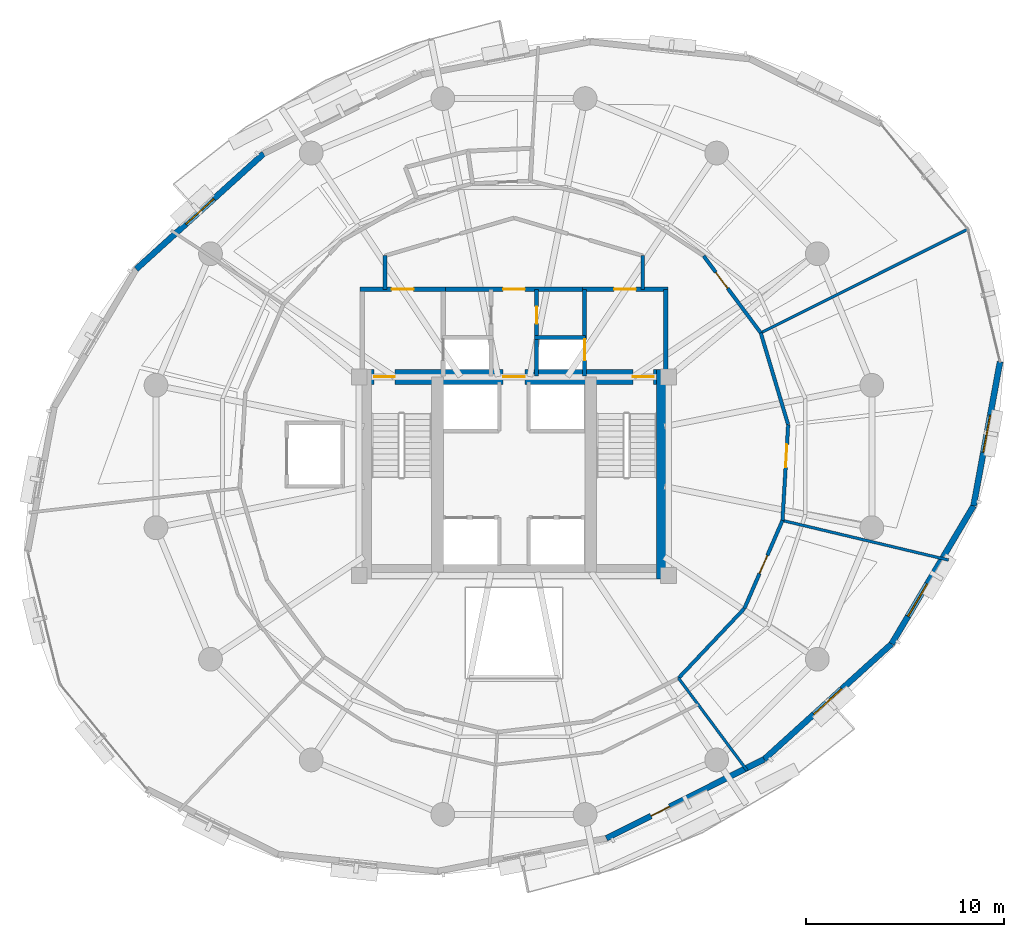
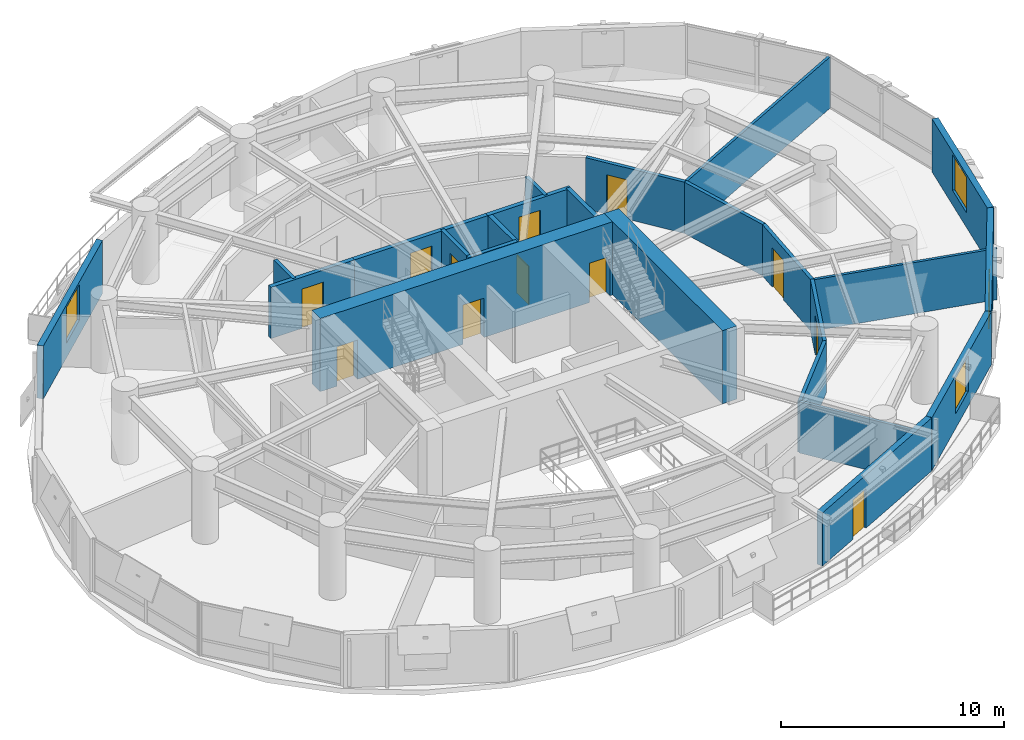
# One storey, part 11 of 14: 24 walls, 12 doors, 4 windows, 16 openings.
"""IFC4 building model written with IfcOpenShell, lengths in metres."""

import ifcopenshell
import ifcopenshell.guid

model = None  # the IFC model being written
_history = None  # IfcOwnerHistory: only IFC2X3 demands one
_inside = {}  # id of a spatial element -> (the spatial element, [elements in it])
_under = {}  # id of a project, library or spatial element -> (it, [spatial elements below it])
_declared = {}  # id of a project -> (the project, [libraries it declares])
_typed = {}  # id of a type object -> (the type object, [elements of that type])
_made_of = {}  # id of a material, layer set ... -> (it, [elements and type objects made of it])


def new_model(schema):
    """Start an empty IFC model of exactly this schema.

    Asked for "IFC4X3", IfcOpenShell would pick the latest addendum, in which some entities
    have other attributes; the version numbers below select the first issue.
    IFC2X3 requires an IfcOwnerHistory on every rooted entity: one is made here for all.
    """
    global model, _history
    if schema == "IFC4X3":
        model = ifcopenshell.file(schema_version=(4, 3, 0, 0))
    else:
        model = ifcopenshell.file(schema=schema)
    _inside.clear()
    _under.clear()
    _declared.clear()
    _typed.clear()
    _made_of.clear()
    _history = None
    if model.schema == "IFC2X3":
        org = make("IfcOrganization", Name="unknown")
        user = make(
            "IfcPersonAndOrganization",
            ThePerson=make("IfcPerson", FamilyName="unknown"),
            TheOrganization=org,
        )
        app = make(
            "IfcApplication",
            ApplicationDeveloper=org,
            Version="unknown",
            ApplicationFullName="unknown",
            ApplicationIdentifier="unknown",
        )
        _history = make(
            "IfcOwnerHistory",
            OwningUser=user,
            OwningApplication=app,
            ChangeAction="ADDED",
            CreationDate=0,
        )
    return model


def make(cls, **values):
    """One entity of the class cls with the attributes given. An attribute that is None is left unset."""
    return model.create_entity(
        cls, **{name: value for name, value in values.items() if value is not None}
    )


def rooted(cls, **values):
    """An entity with a GlobalId (a new one), such as an element, a storey or a relation."""
    return make(cls, GlobalId=ifcopenshell.guid.new(), OwnerHistory=_history, **values)


def si_unit(unit_type, name, prefix=None):
    """IfcSIUnit, for example si_unit("LENGTHUNIT", "METRE", prefix="MILLI")."""
    return make("IfcSIUnit", UnitType=unit_type, Prefix=prefix, Name=name)


def assignment(units):
    """IfcUnitAssignment: the units of a project."""
    return None if units is None else make("IfcUnitAssignment", Units=units)


def point(xyz):
    """IfcCartesianPoint."""
    return None if xyz is None else make("IfcCartesianPoint", Coordinates=xyz)


def direction(xyz):
    """IfcDirection."""
    return None if xyz is None else make("IfcDirection", DirectionRatios=xyz)


def frame(location, z_axis=None, x_axis=None):
    """IfcAxis2Placement3D, a coordinate frame: its origin and axes. An axis left out is left unset."""
    return make(
        "IfcAxis2Placement3D",
        Location=point(location),
        Axis=direction(z_axis),
        RefDirection=direction(x_axis),
    )


def frame_2d(location, x_axis=None):
    """IfcAxis2Placement2D, a coordinate frame in the plane: its origin and x axis."""
    return make(
        "IfcAxis2Placement2D", Location=point(location), RefDirection=direction(x_axis)
    )


def origin():
    """The frame at (0, 0, 0) with its axes left unset."""
    return frame((0.0, 0.0, 0.0))


def place(relative_to, where):
    """IfcLocalPlacement: puts the frame where relative to a parent placement (None: the world)."""
    return make(
        "IfcLocalPlacement", PlacementRelTo=relative_to, RelativePlacement=where
    )


def context(
    kind, dimensions, precision=None, world=None, true_north=None, identifier=None
):
    """IfcGeometricRepresentationContext, for example the 3D "Model" context."""
    return make(
        "IfcGeometricRepresentationContext",
        ContextIdentifier=identifier,
        ContextType=kind,
        CoordinateSpaceDimension=dimensions,
        Precision=precision,
        WorldCoordinateSystem=world,
        TrueNorth=true_north,
    )


def subcontext(parent, identifier, kind, view, scale=None):
    """IfcGeometricRepresentationSubContext, for example "Body" below "Model"."""
    return make(
        "IfcGeometricRepresentationSubContext",
        ContextIdentifier=identifier,
        ContextType=kind,
        ParentContext=parent,
        TargetScale=scale,
        TargetView=view,
    )


def project(units=None, contexts=None):
    """IfcProject with its units and contexts."""
    return rooted(
        "IfcProject",
        Name="project",
        RepresentationContexts=contexts,
        UnitsInContext=assignment(units),
    )


def spatial(cls, under=None, at=None, **own):
    """A site, building, storey or space (cls), placed at a placement, below another one or the project."""
    s = rooted(cls, ObjectPlacement=at, **own)
    if under is not None:
        _under.setdefault(under.id(), (under, []))[1].append(s)
    return s


def profile(cls, at=None, kind="AREA", **sizes):
    """A parametric profile (cls). Its sizes go by their IFC names, for example OverallWidth=200.0."""
    return make(cls, ProfileType=kind, Position=at, **sizes)


def rectangle(**sizes):
    """IfcRectangleProfileDef."""
    return profile("IfcRectangleProfileDef", **sizes)


def extrude(swept, where, along, depth):
    """IfcExtrudedAreaSolid: the profile swept, set in the frame where, extruded along a direction by depth."""
    return make(
        "IfcExtrudedAreaSolid",
        SweptArea=swept,
        Position=where,
        ExtrudedDirection=direction(along),
        Depth=depth,
    )


def shape(context_of_items, identifier, shape_type, items):
    """IfcShapeRepresentation: the items that make up one representation, for example the "Body"."""
    return make(
        "IfcShapeRepresentation",
        ContextOfItems=context_of_items,
        RepresentationIdentifier=identifier,
        RepresentationType=shape_type,
        Items=items,
    )


def material(Name=None, Category=None):
    """IfcMaterial."""
    return make("IfcMaterial", Name=Name, Category=Category)


def layer(
    of_material, thickness, ventilated=None, Name=None, Category=None, Priority=None
):
    """IfcMaterialLayer: one layer of a wall or slab, of a material (None: an air gap)."""
    return make(
        "IfcMaterialLayer",
        Material=of_material,
        LayerThickness=thickness,
        IsVentilated=ventilated,
        Name=Name,
        Category=Category,
        Priority=Priority,
    )


def layer_set(layers, Name=None):
    """IfcMaterialLayerSet."""
    return make("IfcMaterialLayerSet", MaterialLayers=layers, LayerSetName=Name)


def made_of(thing, what):
    """Note that an element or type object is made of a material, layer set ...; save() writes the relation."""
    if what is not None:
        _made_of.setdefault(what.id(), (what, []))[1].append(thing)
    return thing


def type_object(cls, material=None, **own):
    """A type object (cls), such as IfcWallType, which elements share."""
    return made_of(rooted(cls, **own), material)


def element(
    cls,
    number,
    at=None,
    inside=None,
    cuts=None,
    type_object=None,
    material=None,
    context=None,
    identifier="Body",
    shape_type=None,
    held_by="IfcProductDefinitionShape",
    body=None,
    shapes=None,
    **own,
):
    """One element of the class cls, such as IfcWall. Its Tag is "e" and its number.

    at: its placement. inside: the storey or other place that contains it. cuts: it is an
    opening in that element (IfcRelVoidsElement). A single representation is given by context,
    identifier, shape_type and body (its items); several are given by shapes. held_by: the class
    of the entity that holds the representations. save() writes the other relations.
    """
    e = rooted(cls, Tag="e%d" % number, ObjectPlacement=at, **own)
    if body is not None:
        shapes = [shape(context, identifier, shape_type, body)]
    if shapes is not None:
        e.Representation = make(held_by, Representations=shapes)
    if inside is not None:
        _inside.setdefault(inside.id(), (inside, []))[1].append(e)
    if cuts is not None:
        rooted(
            "IfcRelVoidsElement", RelatingBuildingElement=cuts, RelatedOpeningElement=e
        )
    if type_object is not None:
        _typed.setdefault(type_object.id(), (type_object, []))[1].append(e)
    return made_of(e, material)


def fill(opening, filler):
    """IfcRelFillsElement: the door or window that sits in an opening."""
    return rooted(
        "IfcRelFillsElement",
        RelatingOpeningElement=opening,
        RelatedBuildingElement=filler,
    )


def aggregate(whole, parts):
    """IfcRelAggregates: a whole, such as a stair, and the parts it consists of."""
    return rooted("IfcRelAggregates", RelatingObject=whole, RelatedObjects=parts)


def save(model, path):
    """Write the relations noted so far, then the file.

    IfcRelAggregates (storeys below a building ...), IfcRelContainedInSpatialStructure (elements
    in a storey), IfcRelDefinesByType, IfcRelAssociatesMaterial and IfcRelDeclares: one each for
    every whole, place, type object, material and project.
    """
    for whole, parts in _under.values():
        aggregate(whole, parts)
    for where, things in _inside.values():
        rooted(
            "IfcRelContainedInSpatialStructure",
            RelatedElements=things,
            RelatingStructure=where,
        )
    for kind, things in _typed.values():
        rooted("IfcRelDefinesByType", RelatedObjects=things, RelatingType=kind)
    for what, things in _made_of.values():
        rooted("IfcRelAssociatesMaterial", RelatedObjects=things, RelatingMaterial=what)
    for by, libraries in _declared.values():
        rooted("IfcRelDeclares", RelatingContext=by, RelatedDefinitions=libraries)
    model.write(path)


model = new_model("IFC4")

# Units and contexts
model_context = context("Model", 3, precision=1e-05, world=origin(), true_north=direction((0.0, 1.0)))
body_context = subcontext(model_context, "Body", "Model", "MODEL_VIEW")
ifc_project = project(units=[si_unit("LENGTHUNIT", "METRE"), si_unit("AREAUNIT", "SQUARE_METRE"), si_unit("VOLUMEUNIT", "CUBIC_METRE"), si_unit("PLANEANGLEUNIT", "RADIAN"), si_unit("MASSUNIT", "GRAM", prefix="KILO"), si_unit("THERMODYNAMICTEMPERATUREUNIT", "KELVIN"), si_unit("POWERUNIT", "WATT")], contexts=[model_context])

# Site, building, storey
site_placement = place(None, origin())
site = spatial("IfcSite", under=ifc_project, at=site_placement, CompositionType="ELEMENT")
building_placement = place(site_placement, origin())
building = spatial("IfcBuilding", under=site, at=building_placement, Name="Ocrelia Relay Tower", CompositionType="ELEMENT")
storey_placement = place(building_placement, frame((0.0, 0.0, 145.800048828125)))
storey = spatial("IfcBuildingStorey", under=building, at=storey_placement, Name="L34", CompositionType="ELEMENT", Elevation=145.800048828125)

# Wall, openings, doors
ifc_material_1 = material(Name="Concrete C60/75", Category="concrete")
ifc_layer_1 = layer(ifc_material_1, 0.75, Name="Concrete C60/75")
ifc_layer_set_1 = layer_set([ifc_layer_1], Name="Concrete C60/75")
wall_type_1 = type_object("IfcWallType", Name="CW-CORE-750", PredefinedType="SHEAR", material=ifc_layer_set_1)
wall_1_placement = place(storey_placement, frame((26.072021484375, 30.012939453125, 0.0), z_axis=(0.0, 0.0, 1.0), x_axis=(1.0, 0.0, 0.0)))
wall_1 = element("IfcWall", 1, at=wall_1_placement, inside=storey, type_object=wall_type_1, Name="L34 Core Shear Wall N", PredefinedType="SHEAR", context=body_context, shape_type="SweptSolid", body=[
    extrude(rectangle(XDim=15.865966796875, YDim=0.75, at=frame_2d((7.93310546875, 0.0))), origin(), (0.0, 0.0, 1.0), 4.0),
])
opening_1_placement = place(wall_1_placement, frame((0.8779296875, 0.0, 0.0)))
opening_1 = element("IfcOpeningElement", 2, at=opening_1_placement, cuts=wall_1, Name="Opening D-FD90", PredefinedType="OPENING", context=body_context, shape_type="SweptSolid", body=[
    extrude(rectangle(XDim=1.050048828125, YDim=2.14990234375, at=frame_2d((0.52490234375, 1.074951171875))), frame((0.0, 0.385009765625, 0.0), z_axis=(0.0, -1.0, 0.0), x_axis=(1.0, 0.0, 0.0)), (0.0, 0.0, 1.0), 0.77001953125),
])
opening_2_placement = place(wall_1_placement, frame((13.927978515625, 0.0, 0.0)))
opening_2 = element("IfcOpeningElement", 3, at=opening_2_placement, cuts=wall_1, Name="Opening D-FD90", PredefinedType="OPENING", context=body_context, shape_type="SweptSolid", body=[
    extrude(rectangle(XDim=1.050048828125, YDim=2.14990234375, at=frame_2d((0.52490234375, 1.074951171875))), frame((0.0, 0.385009765625, 0.0), z_axis=(0.0, -1.0, 0.0), x_axis=(1.0, 0.0, 0.0)), (0.0, 0.0, 1.0), 0.77001953125),
])
opening_3_placement = place(wall_1_placement, frame((7.3779296875, 0.0, 0.0)))
opening_3 = element("IfcOpeningElement", 4, at=opening_3_placement, cuts=wall_1, Name="Opening D-FD60", PredefinedType="OPENING", context=body_context, shape_type="SweptSolid", body=[
    extrude(rectangle(XDim=1.10009765625, YDim=2.14990234375, at=frame_2d((0.550048828125, 1.074951171875))), frame((0.0, 0.385009765625, 0.0), z_axis=(0.0, -1.0, 0.0), x_axis=(1.0, 0.0, 0.0)), (0.0, 0.0, 1.0), 0.77001953125),
])
ifc_material_2 = material(Name="Timber-core 60-min acoustic fire door", Category="wood")
door_type_1 = type_object("IfcDoorType", Name="DR-LOBBY-FD60-1100", OperationType="NOTDEFINED", PredefinedType="DOOR", material=ifc_material_2)
door_1_placement = place(opening_3_placement, origin())
door_1 = element("IfcDoor", 5, at=door_1_placement, inside=storey, type_object=door_type_1, Name="L34 Core Lift Lobby North Fire Door", OperationType="SINGLE_SWING_RIGHT", OverallHeight=2.14990234375, OverallWidth=1.10009765625, PredefinedType="DOOR", context=body_context, shape_type="SweptSolid", body=[
    extrude(rectangle(XDim=1.10009765625, YDim=2.14990234375, at=frame_2d((0.550048828125, 1.074951171875))), frame((0.0, 0.02490234375, 0.0), z_axis=(0.0, -1.0, 0.0), x_axis=(1.0, 0.0, 0.0)), (0.0, 0.0, 1.0), 0.050048828125),
])
fill(opening_3, door_1)
ifc_material_3 = material(Name="Steel S355 90-min fire door", Category="steel")
door_type_2 = type_object("IfcDoorType", Name="DR-STAIR-FD90-1050", OperationType="NOTDEFINED", PredefinedType="DOOR", material=ifc_material_3)
door_2_placement = place(opening_1_placement, origin())
door_2 = element("IfcDoor", 6, at=door_2_placement, inside=storey, type_object=door_type_2, Name="L34 Stair ST1 Fire Door", OperationType="SINGLE_SWING_RIGHT", OverallHeight=2.14990234375, OverallWidth=1.050048828125, PredefinedType="DOOR", context=body_context, shape_type="SweptSolid", body=[
    extrude(rectangle(XDim=1.050048828125, YDim=2.14990234375, at=frame_2d((0.52490234375, 1.074951171875))), frame((0.0, 0.02490234375, 0.0), z_axis=(0.0, -1.0, 0.0), x_axis=(1.0, 0.0, 0.0)), (0.0, 0.0, 1.0), 0.050048828125),
])
fill(opening_1, door_2)
door_3_placement = place(opening_2_placement, origin())
door_3 = element("IfcDoor", 7, at=door_3_placement, inside=storey, type_object=door_type_2, Name="L34 Stair ST2 Fire Door", OperationType="SINGLE_SWING_LEFT", OverallHeight=2.14990234375, OverallWidth=1.050048828125, PredefinedType="DOOR", context=body_context, shape_type="SweptSolid", body=[
    extrude(rectangle(XDim=1.050048828125, YDim=2.14990234375, at=frame_2d((0.52490234375, 1.074951171875))), frame((0.0, 0.02490234375, 0.0), z_axis=(0.0, -1.0, 0.0), x_axis=(1.0, 0.0, 0.0)), (0.0, 0.0, 1.0), 0.050048828125),
])
fill(opening_2, door_3)

# Walls
wall_2_placement = place(storey_placement, frame((41.56298828125, 19.81201171875, 0.0), z_axis=(0.0, 0.0, 1.0), x_axis=(0.0, 1.0, 0.0)))
element("IfcWall", 8, at=wall_2_placement, inside=storey, type_object=wall_type_1, Name="L34 Core Shear Wall E", PredefinedType="SHEAR", context=body_context, shape_type="SweptSolid", body=[
    extrude(rectangle(XDim=10.575927734375, YDim=0.75, at=frame_2d((5.2880859375, 0.0))), origin(), (0.0, 0.0, 1.0), 4.0),
])
ifc_material_4 = material(Name="Gypsum Fireboard Partition EI60", Category="gypsum")
ifc_layer_2 = layer(ifc_material_4, 0.179931640625, Name="Gypsum Fireboard Partition EI60")
ifc_layer_set_2 = layer_set([ifc_layer_2], Name="Gypsum Fireboard Partition EI60")
wall_type_2 = type_object("IfcWallType", Name="W-CORR-EI60-180", PredefinedType="PARTITIONING", material=ifc_layer_set_2)
for number, where, z_axis, x_axis, name in (
    (9, (27.5, 34.429931640625, 0.0), (0.0, 0.0, 1.0), (0.0, 1.0, 0.0), "L34 Smoke Lobby West Return"),
    (10, (40.5, 36.122802734375, 0.0), (0.0, 0.0, 1.0), (0.0, -1.0, 0.0), "L34 Smoke Lobby East Return"),
):
    element("IfcWall", number, at=place(storey_placement, frame(where, z_axis=z_axis, x_axis=x_axis)), inside=storey, type_object=wall_type_2, Name=name, PredefinedType="PARTITIONING", context=body_context, shape_type="SweptSolid", body=[
        extrude(rectangle(XDim=1.69287109375, YDim=0.179931640625, at=frame_2d((0.846435546875, 0.0))), origin(), (0.0, 0.0, 1.0), 2.800048828125),
    ])
wall_3_placement = place(storey_placement, frame((42.299560546875, 14.82470703125, 0.0), z_axis=(0.0, 0.0, 1.0), x_axis=(0.687059377982, 0.726601273827, 0.0)))
element("IfcWall", 11, at=wall_3_placement, inside=storey, type_object=wall_type_2, Name="L34 Peering Conference Room Corridor Partition 1", PredefinedType="PARTITIONING", context=body_context, shape_type="SweptSolid", body=[
    extrude(rectangle(XDim=4.83447265625, YDim=0.179931640625, at=frame_2d((2.417236328125, 0.0))), origin(), (0.0, 0.0, 1.0), 2.800048828125),
])

# Wall, opening, door
wall_4_placement = place(storey_placement, frame((45.62109375, 18.33740234375, 0.0), z_axis=(0.0, 0.0, 1.0), x_axis=(0.397141112734, 0.917757558714, 0.0)))
wall_4 = element("IfcWall", 12, at=wall_4_placement, inside=storey, type_object=wall_type_2, Name="L34 Peering Conference Room Corridor Partition 2", PredefinedType="PARTITIONING", context=body_context, shape_type="SweptSolid", body=[
    extrude(rectangle(XDim=4.83447265625, YDim=0.179931640625, at=frame_2d((2.417236328125, 0.0))), origin(), (0.0, 0.0, 1.0), 2.800048828125),
])
opening_4_placement = place(wall_4_placement, frame((1.917236328125, 0.0, 0.0)))
opening_4 = element("IfcOpeningElement", 13, at=opening_4_placement, cuts=wall_4, Name="Opening D-RM100", PredefinedType="OPENING", context=body_context, shape_type="SweptSolid", body=[
    extrude(rectangle(XDim=1.0, YDim=2.14990234375, at=frame_2d((0.5, 1.074951171875))), frame((0.0, 0.10009765625, 0.0), z_axis=(0.0, -1.0, 0.0), x_axis=(1.0, 0.0, 0.0)), (0.0, 0.0, 1.0), 0.199951171875),
])
ifc_material_5 = material(Name="Acoustic oak veneer fire door", Category="wood")
door_type_3 = type_object("IfcDoorType", Name="DR-ROOM-FD60-1000", OperationType="NOTDEFINED", PredefinedType="DOOR", material=ifc_material_5)
door_4_placement = place(opening_4_placement, origin())
door_4 = element("IfcDoor", 14, at=door_4_placement, inside=storey, type_object=door_type_3, Name="L34 Peering Conference Room Entrance Door", OperationType="SINGLE_SWING_RIGHT", OverallHeight=2.14990234375, OverallWidth=1.0, PredefinedType="DOOR", context=body_context, shape_type="SweptSolid", body=[
    extrude(rectangle(XDim=1.0, YDim=2.14990234375, at=frame_2d((0.5, 1.074951171875))), frame((0.0, 0.02490234375, 0.0), z_axis=(0.0, -1.0, 0.0), x_axis=(1.0, 0.0, 0.0)), (0.0, 0.0, 1.0), 0.050048828125),
])
fill(opening_4, door_4)

wall_5_placement = place(storey_placement, frame((47.541015625, 22.774169921875, 0.0), z_axis=(0.0, 0.0, 1.0), x_axis=(0.059290431537, 0.998240774928, 0.0)))
wall_5 = element("IfcWall", 15, at=wall_5_placement, inside=storey, type_object=wall_type_2, Name="L34 Carrier Patching Workspace Corridor Partition 1", PredefinedType="PARTITIONING", context=body_context, shape_type="SweptSolid", body=[
    extrude(rectangle(XDim=4.834228515625, YDim=0.179931640625, at=frame_2d((2.4169921875, 0.0))), origin(), (0.0, 0.0, 1.0), 2.800048828125),
])
opening_5_placement = place(wall_5_placement, frame((2.688232421875, 0.0, 0.0)))
opening_5 = element("IfcOpeningElement", 16, at=opening_5_placement, cuts=wall_5, Name="Opening D-RM115", PredefinedType="OPENING", context=body_context, shape_type="SweptSolid", body=[
    extrude(rectangle(XDim=1.14990234375, YDim=2.14990234375, at=frame_2d((0.574951171875, 1.074951171875))), frame((0.0, 0.10009765625, 0.0), z_axis=(0.0, -1.0, 0.0), x_axis=(1.0, 0.0, 0.0)), (0.0, 0.0, 1.0), 0.199951171875),
])
ifc_material_6 = material(Name="Wide acoustic oak veneer fire door", Category="wood")
door_type_4 = type_object("IfcDoorType", Name="DR-ROOM-1150", OperationType="NOTDEFINED", PredefinedType="DOOR", material=ifc_material_6)
door_5_placement = place(opening_5_placement, origin())
door_5 = element("IfcDoor", 17, at=door_5_placement, inside=storey, type_object=door_type_4, Name="L34 Carrier Patching Workspace Entrance Door", OperationType="SINGLE_SWING_LEFT", OverallHeight=2.14990234375, OverallWidth=1.14990234375, PredefinedType="DOOR", context=body_context, shape_type="SweptSolid", body=[
    extrude(rectangle(XDim=1.14990234375, YDim=2.14990234375, at=frame_2d((0.574951171875, 1.074951171875))), frame((0.0, 0.02490234375, 0.0), z_axis=(0.0, -1.0, 0.0), x_axis=(1.0, 0.0, 0.0)), (0.0, 0.0, 1.0), 0.050048828125),
])
fill(opening_5, door_5)

# Wall
wall_6_placement = place(storey_placement, frame((47.82763671875, 27.599853515625, 0.0), z_axis=(0.0, 0.0, 1.0), x_axis=(-0.285674945377, 0.958326575643, 0.0)))
element("IfcWall", 18, at=wall_6_placement, inside=storey, type_object=wall_type_2, Name="L34 Carrier Patching Workspace Corridor Partition 2", PredefinedType="PARTITIONING", context=body_context, shape_type="SweptSolid", body=[
    extrude(rectangle(XDim=4.83447265625, YDim=0.179931640625, at=frame_2d((2.417236328125, 0.0))), origin(), (0.0, 0.0, 1.0), 2.800048828125),
])

# Wall, opening, door
wall_7_placement = place(storey_placement, frame((46.446533203125, 32.23291015625, 0.0), z_axis=(0.0, 0.0, 1.0), x_axis=(-0.596219858709, 0.802821200568, 0.0)))
wall_7 = element("IfcWall", 19, at=wall_7_placement, inside=storey, type_object=wall_type_2, Name="L34 Shift Staff Lounge Corridor Partition 1", PredefinedType="PARTITIONING", context=body_context, shape_type="SweptSolid", body=[
    extrude(rectangle(XDim=4.834228515625, YDim=0.179931640625, at=frame_2d((2.4169921875, 0.0))), origin(), (0.0, 0.0, 1.0), 2.800048828125),
])
opening_6_placement = place(wall_7_placement, frame((2.80078125, 0.0, 0.0)))
opening_6 = element("IfcOpeningElement", 20, at=opening_6_placement, cuts=wall_7, Name="Opening D-RM100", PredefinedType="OPENING", context=body_context, shape_type="SweptSolid", body=[
    extrude(rectangle(XDim=1.0, YDim=2.14990234375, at=frame_2d((0.5, 1.074951171875))), frame((0.0, 0.10009765625, 0.0), z_axis=(0.0, -1.0, 0.0), x_axis=(1.0, 0.0, 0.0)), (0.0, 0.0, 1.0), 0.199951171875),
])
door_6_placement = place(opening_6_placement, origin())
door_6 = element("IfcDoor", 21, at=door_6_placement, inside=storey, type_object=door_type_3, Name="L34 Shift Staff Lounge Entrance Door", OperationType="SINGLE_SWING_RIGHT", OverallHeight=2.14990234375, OverallWidth=1.0, PredefinedType="DOOR", context=body_context, shape_type="SweptSolid", body=[
    extrude(rectangle(XDim=1.0, YDim=2.14990234375, at=frame_2d((0.5, 1.074951171875))), frame((0.0, 0.02490234375, 0.0), z_axis=(0.0, -1.0, 0.0), x_axis=(1.0, 0.0, 0.0)), (0.0, 0.0, 1.0), 0.050048828125),
])
fill(opening_6, door_6)

# Wall, opening, window
ifc_material_7 = material(Name="Precast concrete C40/50 with oxide terracotta", Category="masonry")
ifc_layer_3 = layer(ifc_material_7, 0.300048828125, Name="Precast concrete C40/50 with oxide terracotta")
ifc_layer_set_3 = layer_set([ifc_layer_3], Name="Precast concrete C40/50 with oxide terracotta")
wall_type_3 = type_object("IfcWallType", Name="W-EXT-TERR-300", PredefinedType="SOLIDWALL", material=ifc_layer_set_3)
wall_8_placement = place(storey_placement, frame((21.38232421875, 41.268798828125, 0.0), z_axis=(0.0, 0.0, 1.0), x_axis=(-0.741123503334, -0.671368715987, 0.0)))
wall_8 = element("IfcWall", 22, at=wall_8_placement, inside=storey, type_object=wall_type_3, Name="L34 Oxide Terracotta Facade Wall 06", PredefinedType="SOLIDWALL", context=body_context, shape_type="SweptSolid", body=[
    extrude(rectangle(XDim=8.6728515625, YDim=0.300048828125, at=frame_2d((4.33642578125, 0.0))), origin(), (0.0, 0.0, 1.0), 2.89990234375),
])
opening_7_placement = place(wall_8_placement, frame((3.385986328125, 0.0, 0.800048828125)))
opening_7 = element("IfcOpeningElement", 23, at=opening_7_placement, cuts=wall_8, Name="Opening W-06", PredefinedType="OPENING", context=body_context, shape_type="SweptSolid", body=[
    extrude(rectangle(XDim=1.89990234375, YDim=1.949951171875, at=frame_2d((0.949951171875, 0.97509765625))), frame((0.0, 0.16015625, 0.0), z_axis=(0.0, -1.0, 0.0), x_axis=(1.0, 0.0, 0.0)), (0.0, 0.0, 1.0), 0.320068359375),
])
ifc_material_8 = material(Name="Clear double-glazed low-E glass", Category="glass")
window_type = type_object("IfcWindowType", Name="WIN-Z2-1900x2100", PartitioningType="DOUBLE_PANEL_VERTICAL", PredefinedType="WINDOW", material=ifc_material_8)
window_1_placement = place(opening_7_placement, origin())
window_1 = element("IfcWindow", 24, at=window_1_placement, inside=storey, type_object=window_type, Name="L34 Facade Module Window 06", OverallHeight=1.949951171875, OverallWidth=1.89990234375, PartitioningType="SINGLE_PANEL", PredefinedType="WINDOW", context=body_context, shape_type="SweptSolid", body=[
    extrude(rectangle(XDim=1.89990234375, YDim=1.949951171875, at=frame_2d((0.949951171875, 0.97509765625))), frame((0.0, 0.030029296875, 0.0), z_axis=(0.0, -1.0, 0.0), x_axis=(1.0, 0.0, 0.0)), (0.0, 0.0, 1.0), 0.06005859375),
])
fill(opening_7, window_1)

# Wall, opening, door
wall_9_placement = place(storey_placement, frame((38.66796875, 6.75048828125, 0.0), z_axis=(0.0, 0.0, 1.0), x_axis=(0.894163416392, 0.447740756227, 0.0)))
wall_9 = element("IfcWall", 25, at=wall_9_placement, inside=storey, type_object=wall_type_3, Name="L34 Oxide Terracotta Facade Wall 14", PredefinedType="SOLIDWALL", context=body_context, shape_type="SweptSolid", body=[
    extrude(rectangle(XDim=8.890625, YDim=0.300048828125, at=frame_2d((4.4453125, 0.0))), origin(), (0.0, 0.0, 1.0), 2.89990234375),
])
opening_8_placement = place(wall_9_placement, frame((2.510009765625, 0.0, 0.0)))
opening_8 = element("IfcOpeningElement", 26, at=opening_8_placement, cuts=wall_9, Name="Opening DB-105", PredefinedType="OPENING", context=body_context, shape_type="SweptSolid", body=[
    extrude(rectangle(XDim=1.050048828125, YDim=2.14990234375, at=frame_2d((0.52490234375, 1.074951171875))), frame((0.0, 0.16015625, 0.0), z_axis=(0.0, -1.0, 0.0), x_axis=(1.0, 0.0, 0.0)), (0.0, 0.0, 1.0), 0.320068359375),
])
ifc_material_9 = material(Name="Thermally broken aluminium and clear glass", Category="aluminium")
door_type_5 = type_object("IfcDoorType", Name="DR-BALC-1050", OperationType="NOTDEFINED", PredefinedType="DOOR", material=ifc_material_9)
door_7_placement = place(opening_8_placement, origin())
door_7 = element("IfcDoor", 27, at=door_7_placement, inside=storey, type_object=door_type_5, Name="L34 Planted Loggia Balcony Door B2", OperationType="SINGLE_SWING_LEFT", OverallHeight=2.14990234375, OverallWidth=1.050048828125, PredefinedType="DOOR", context=body_context, shape_type="SweptSolid", body=[
    extrude(rectangle(XDim=1.050048828125, YDim=2.14990234375, at=frame_2d((0.52490234375, 1.074951171875))), frame((0.0, 0.02490234375, 0.0), z_axis=(0.0, -1.0, 0.0), x_axis=(1.0, 0.0, 0.0)), (0.0, 0.0, 1.0), 0.050048828125),
])
fill(opening_8, door_7)

# Wall, opening, window
wall_10_placement = place(storey_placement, frame((46.61767578125, 10.731201171875, 0.0), z_axis=(0.0, 0.0, 1.0), x_axis=(0.741123503334, 0.671368715987, 0.0)))
wall_10 = element("IfcWall", 28, at=wall_10_placement, inside=storey, type_object=wall_type_3, Name="L34 Oxide Terracotta Facade Wall 15", PredefinedType="SOLIDWALL", context=body_context, shape_type="SweptSolid", body=[
    extrude(rectangle(XDim=8.6728515625, YDim=0.300048828125, at=frame_2d((4.33642578125, 0.0))), origin(), (0.0, 0.0, 1.0), 2.89990234375),
])
opening_9_placement = place(wall_10_placement, frame((3.385986328125, 0.0, 0.800048828125)))
opening_9 = element("IfcOpeningElement", 29, at=opening_9_placement, cuts=wall_10, Name="Opening W-06", PredefinedType="OPENING", context=body_context, shape_type="SweptSolid", body=[
    extrude(rectangle(XDim=1.89990234375, YDim=1.949951171875, at=frame_2d((0.949951171875, 0.97509765625))), frame((0.0, 0.16015625, 0.0), z_axis=(0.0, -1.0, 0.0), x_axis=(1.0, 0.0, 0.0)), (0.0, 0.0, 1.0), 0.320068359375),
])
window_2_placement = place(opening_9_placement, origin())
window_2 = element("IfcWindow", 30, at=window_2_placement, inside=storey, type_object=window_type, Name="L34 Facade Module Window 15", OverallHeight=1.949951171875, OverallWidth=1.89990234375, PartitioningType="SINGLE_PANEL", PredefinedType="WINDOW", context=body_context, shape_type="SweptSolid", body=[
    extrude(rectangle(XDim=1.89990234375, YDim=1.949951171875, at=frame_2d((0.949951171875, 0.97509765625))), frame((0.0, 0.030029296875, 0.0), z_axis=(0.0, -1.0, 0.0), x_axis=(1.0, 0.0, 0.0)), (0.0, 0.0, 1.0), 0.06005859375),
])
fill(opening_9, window_2)

wall_11_placement = place(storey_placement, frame((53.04541015625, 16.553955078125, 0.0), z_axis=(0.0, 0.0, 1.0), x_axis=(0.510285094065, 0.860005303922, 0.0)))
wall_11 = element("IfcWall", 31, at=wall_11_placement, inside=storey, type_object=wall_type_3, Name="L34 Oxide Terracotta Facade Wall 16", PredefinedType="SOLIDWALL", context=body_context, shape_type="SweptSolid", body=[
    extrude(rectangle(XDim=8.09521484375, YDim=0.300048828125, at=frame_2d((4.047607421875, 0.0))), origin(), (0.0, 0.0, 1.0), 2.89990234375),
])
opening_10_placement = place(wall_11_placement, frame((1.614990234375, 0.0, 0.800048828125)))
opening_10 = element("IfcOpeningElement", 32, at=opening_10_placement, cuts=wall_11, Name="Opening W-06", PredefinedType="OPENING", context=body_context, shape_type="SweptSolid", body=[
    extrude(rectangle(XDim=1.89990234375, YDim=1.949951171875, at=frame_2d((0.949951171875, 0.97509765625))), frame((0.0, 0.16015625, 0.0), z_axis=(0.0, -1.0, 0.0), x_axis=(1.0, 0.0, 0.0)), (0.0, 0.0, 1.0), 0.320068359375),
])
window_3_placement = place(opening_10_placement, origin())
window_3 = element("IfcWindow", 33, at=window_3_placement, inside=storey, type_object=window_type, Name="L34 Facade Module Window 16", OverallHeight=1.949951171875, OverallWidth=1.89990234375, PartitioningType="SINGLE_PANEL", PredefinedType="WINDOW", context=body_context, shape_type="SweptSolid", body=[
    extrude(rectangle(XDim=1.89990234375, YDim=1.949951171875, at=frame_2d((0.949951171875, 0.97509765625))), frame((0.0, 0.030029296875, 0.0), z_axis=(0.0, -1.0, 0.0), x_axis=(1.0, 0.0, 0.0)), (0.0, 0.0, 1.0), 0.06005859375),
])
fill(opening_10, window_3)

wall_12_placement = place(storey_placement, frame((57.17626953125, 23.515869140625, 0.0), z_axis=(0.0, 0.0, 1.0), x_axis=(0.180843444068, 0.983511895575, 0.0)))
wall_12 = element("IfcWall", 34, at=wall_12_placement, inside=storey, type_object=wall_type_3, Name="L34 Oxide Terracotta Facade Wall 17", PredefinedType="SOLIDWALL", context=body_context, shape_type="SweptSolid", body=[
    extrude(rectangle(XDim=7.38330078125, YDim=0.300048828125, at=frame_2d((3.691650390625, 0.0))), origin(), (0.0, 0.0, 1.0), 2.89990234375),
])
opening_11_placement = place(wall_12_placement, frame((2.741943359375, 0.0, 0.800048828125)))
opening_11 = element("IfcOpeningElement", 35, at=opening_11_placement, cuts=wall_12, Name="Opening W-06", PredefinedType="OPENING", context=body_context, shape_type="SweptSolid", body=[
    extrude(rectangle(XDim=1.89990234375, YDim=1.949951171875, at=frame_2d((0.949951171875, 0.97509765625))), frame((0.0, 0.16015625, 0.0), z_axis=(0.0, -1.0, 0.0), x_axis=(1.0, 0.0, 0.0)), (0.0, 0.0, 1.0), 0.320068359375),
])
window_4_placement = place(opening_11_placement, origin())
window_4 = element("IfcWindow", 36, at=window_4_placement, inside=storey, type_object=window_type, Name="L34 Facade Module Window 17", OverallHeight=1.949951171875, OverallWidth=1.89990234375, PartitioningType="SINGLE_PANEL", PredefinedType="WINDOW", context=body_context, shape_type="SweptSolid", body=[
    extrude(rectangle(XDim=1.89990234375, YDim=1.949951171875, at=frame_2d((0.949951171875, 0.97509765625))), frame((0.0, 0.030029296875, 0.0), z_axis=(0.0, -1.0, 0.0), x_axis=(1.0, 0.0, 0.0)), (0.0, 0.0, 1.0), 0.06005859375),
])
fill(opening_11, window_4)

# Wall, opening, door
ifc_material_10 = material(Name="Concrete C50/60", Category="concrete")
ifc_layer_4 = layer(ifc_material_10, 0.219970703125, Name="Concrete C50/60")
ifc_layer_set_4 = layer_set([ifc_layer_4], Name="Concrete C50/60")
wall_type_4 = type_object("IfcWallType", Name="W-FFL-EI120-220", PredefinedType="SOLIDWALL", material=ifc_layer_set_4)
wall_13_placement = place(storey_placement, frame((26.239990234375, 34.429931640625, 0.0), z_axis=(0.0, 0.0, 1.0), x_axis=(1.0, 0.0, 0.0)))
wall_13 = element("IfcWall", 37, at=wall_13_placement, inside=storey, type_object=wall_type_4, Name="L34 W Fire Service Lift Lobby North Wall", PredefinedType="SOLIDWALL", context=body_context, shape_type="SweptSolid", body=[
    extrude(rectangle(XDim=4.31005859375, YDim=0.219970703125, at=frame_2d((2.155029296875, 0.0))), origin(), (0.0, 0.0, 1.0), 2.800048828125),
])
opening_12_placement = place(wall_13_placement, frame((1.60009765625, 0.0, 0.0)))
opening_12 = element("IfcOpeningElement", 38, at=opening_12_placement, cuts=wall_13, Name="Opening D-FD60", PredefinedType="OPENING", context=body_context, shape_type="SweptSolid", body=[
    extrude(rectangle(XDim=1.10009765625, YDim=2.14990234375, at=frame_2d((0.550048828125, 1.074951171875))), frame((0.0, 0.1201171875, 0.0), z_axis=(0.0, -1.0, 0.0), x_axis=(1.0, 0.0, 0.0)), (0.0, 0.0, 1.0), 0.239990234375),
])
door_8_placement = place(opening_12_placement, origin())
door_8 = element("IfcDoor", 39, at=door_8_placement, inside=storey, type_object=door_type_1, Name="L34 W Fire Service Lift Lobby Exit Door", OperationType="SINGLE_SWING_LEFT", OverallHeight=2.14990234375, OverallWidth=1.10009765625, PredefinedType="DOOR", context=body_context, shape_type="SweptSolid", body=[
    extrude(rectangle(XDim=1.10009765625, YDim=2.14990234375, at=frame_2d((0.550048828125, 1.074951171875))), frame((0.0, 0.02490234375, 0.0), z_axis=(0.0, -1.0, 0.0), x_axis=(1.0, 0.0, 0.0)), (0.0, 0.0, 1.0), 0.050048828125),
])
fill(opening_12, door_8)

wall_14_placement = place(storey_placement, frame((37.56005859375, 30.050048828125, 0.0), z_axis=(0.0, 0.0, 1.0), x_axis=(0.0, 1.0, 0.0)))
wall_14 = element("IfcWall", 40, at=wall_14_placement, inside=storey, type_object=wall_type_4, Name="L34 E Fire Service Lift Lobby West Wall", PredefinedType="SOLIDWALL", context=body_context, shape_type="SweptSolid", body=[
    extrude(rectangle(XDim=4.3798828125, YDim=0.219970703125, at=frame_2d((2.18994140625, 0.0))), origin(), (0.0, 0.0, 1.0), 2.800048828125),
])
opening_13_placement = place(wall_14_placement, frame((0.800048828125, 0.0, 0.0)))
opening_13 = element("IfcOpeningElement", 41, at=opening_13_placement, cuts=wall_14, Name="Opening LD-FFL2", PredefinedType="OPENING", context=body_context, shape_type="SweptSolid", body=[
    extrude(rectangle(XDim=1.050048828125, YDim=2.10009765625, at=frame_2d((0.52490234375, 1.050048828125))), frame((0.0, 0.1201171875, 0.0), z_axis=(0.0, -1.0, 0.0), x_axis=(1.0, 0.0, 0.0)), (0.0, 0.0, 1.0), 0.239990234375),
])
ifc_material_11 = material(Name="Brushed stainless steel S355 lift landing door", Category="steel")
door_type_6 = type_object("IfcDoorType", Name="DR-LIFT-LAND-1050", OperationType="DOUBLE_DOOR_SLIDING", PredefinedType="USERDEFINED", material=ifc_material_11)
door_9_placement = place(opening_13_placement, origin())
door_9 = element("IfcDoor", 42, at=door_9_placement, inside=storey, type_object=door_type_6, Name="L34 Firefighting Lift FFL2 Sliding Landing Door", ObjectType="LANDING DOOR", OperationType="DOUBLE_DOOR_SLIDING", OverallHeight=2.10009765625, OverallWidth=1.050048828125, PredefinedType="USERDEFINED", context=body_context, shape_type="SweptSolid", body=[
    extrude(rectangle(XDim=1.050048828125, YDim=2.10009765625, at=frame_2d((0.52490234375, 1.050048828125))), frame((0.0, 0.02490234375, 0.0), z_axis=(0.0, -1.0, 0.0), x_axis=(1.0, 0.0, 0.0)), (0.0, 0.0, 1.0), 0.050048828125),
])
fill(opening_13, door_9)

# Wall
wall_15_placement = place(storey_placement, frame((41.64990234375, 30.050048828125, 0.0), z_axis=(0.0, 0.0, 1.0), x_axis=(0.0, 1.0, 0.0)))
element("IfcWall", 43, at=wall_15_placement, inside=storey, type_object=wall_type_4, Name="L34 E Fire Service Lift Lobby East Wall", PredefinedType="SOLIDWALL", context=body_context, shape_type="SweptSolid", body=[
    extrude(rectangle(XDim=4.3798828125, YDim=0.219970703125, at=frame_2d((2.18994140625, 0.0))), origin(), (0.0, 0.0, 1.0), 2.800048828125),
])

# Wall, opening, door
wall_16_placement = place(storey_placement, frame((37.449951171875, 34.429931640625, 0.0), z_axis=(0.0, 0.0, 1.0), x_axis=(1.0, 0.0, 0.0)))
wall_16 = element("IfcWall", 44, at=wall_16_placement, inside=storey, type_object=wall_type_4, Name="L34 E Fire Service Lift Lobby North Wall", PredefinedType="SOLIDWALL", context=body_context, shape_type="SweptSolid", body=[
    extrude(rectangle(XDim=4.31005859375, YDim=0.219970703125, at=frame_2d((2.155029296875, 0.0))), origin(), (0.0, 0.0, 1.0), 2.800048828125),
])
opening_14_placement = place(wall_16_placement, frame((1.60009765625, 0.0, 0.0)))
opening_14 = element("IfcOpeningElement", 45, at=opening_14_placement, cuts=wall_16, Name="Opening D-FD60", PredefinedType="OPENING", context=body_context, shape_type="SweptSolid", body=[
    extrude(rectangle(XDim=1.10009765625, YDim=2.14990234375, at=frame_2d((0.550048828125, 1.074951171875))), frame((0.0, 0.1201171875, 0.0), z_axis=(0.0, -1.0, 0.0), x_axis=(1.0, 0.0, 0.0)), (0.0, 0.0, 1.0), 0.239990234375),
])
door_10_placement = place(opening_14_placement, origin())
door_10 = element("IfcDoor", 46, at=door_10_placement, inside=storey, type_object=door_type_1, Name="L34 E Fire Service Lift Lobby Exit Door", OperationType="SINGLE_SWING_LEFT", OverallHeight=2.14990234375, OverallWidth=1.10009765625, PredefinedType="DOOR", context=body_context, shape_type="SweptSolid", body=[
    extrude(rectangle(XDim=1.10009765625, YDim=2.14990234375, at=frame_2d((0.550048828125, 1.074951171875))), frame((0.0, 0.02490234375, 0.0), z_axis=(0.0, -1.0, 0.0), x_axis=(1.0, 0.0, 0.0)), (0.0, 0.0, 1.0), 0.050048828125),
])
fill(opening_14, door_10)

wall_17_placement = place(storey_placement, frame((30.43994140625, 34.429931640625, 0.0), z_axis=(0.0, 0.0, 1.0), x_axis=(1.0, 0.0, 0.0)))
wall_17 = element("IfcWall", 47, at=wall_17_placement, inside=storey, type_object=wall_type_4, Name="L34 North Core Vestibule Wall", PredefinedType="SOLIDWALL", context=body_context, shape_type="SweptSolid", body=[
    extrude(rectangle(XDim=7.1201171875, YDim=0.219970703125, at=frame_2d((3.56005859375, 0.0))), origin(), (0.0, 0.0, 1.0), 2.800048828125),
])
opening_15_placement = place(wall_17_placement, frame((3.010009765625, 0.0, 0.0)))
opening_15 = element("IfcOpeningElement", 48, at=opening_15_placement, cuts=wall_17, Name="Opening D-FD60", PredefinedType="OPENING", context=body_context, shape_type="SweptSolid", body=[
    extrude(rectangle(XDim=1.10009765625, YDim=2.14990234375, at=frame_2d((0.550048828125, 1.074951171875))), frame((0.0, 0.1201171875, 0.0), z_axis=(0.0, -1.0, 0.0), x_axis=(1.0, 0.0, 0.0)), (0.0, 0.0, 1.0), 0.239990234375),
])
door_11_placement = place(opening_15_placement, origin())
door_11 = element("IfcDoor", 49, at=door_11_placement, inside=storey, type_object=door_type_1, Name="L34 North Core Vestibule Corridor Door", OperationType="SINGLE_SWING_LEFT", OverallHeight=2.14990234375, OverallWidth=1.10009765625, PredefinedType="DOOR", context=body_context, shape_type="SweptSolid", body=[
    extrude(rectangle(XDim=1.10009765625, YDim=2.14990234375, at=frame_2d((0.550048828125, 1.074951171875))), frame((0.0, 0.02490234375, 0.0), z_axis=(0.0, -1.0, 0.0), x_axis=(1.0, 0.0, 0.0)), (0.0, 0.0, 1.0), 0.050048828125),
])
fill(opening_15, door_11)

# Walls
ifc_material_12 = material(Name="Acoustic Fireboard Partition EI60", Category="gypsum")
ifc_layer_5 = layer(ifc_material_12, 0.139892578125, Name="Acoustic Fireboard Partition EI60")
ifc_layer_set_5 = layer_set([ifc_layer_5], Name="Acoustic Fireboard Partition EI60")
wall_type_5 = type_object("IfcWallType", Name="W-PART-140", PredefinedType="PARTITIONING", material=ifc_layer_set_5)
wall_18_placement = place(storey_placement, frame((42.299560546875, 14.82470703125, 0.0), z_axis=(0.0, 0.0, 1.0), x_axis=(0.596217105749, -0.802823245062, 0.0)))
element("IfcWall", 50, at=wall_18_placement, inside=storey, type_object=wall_type_5, Name="L34 Photonics Metrology Lab Radial Partition", PredefinedType="PARTITIONING", context=body_context, shape_type="SweptSolid", body=[
    extrude(rectangle(XDim=5.80322265625, YDim=0.139892578125, at=frame_2d((2.901611328125, 0.0))), origin(), (0.0, 0.0, 1.0), 2.800048828125),
])
wall_19_placement = place(storey_placement, frame((47.541015625, 22.774169921875, 0.0), z_axis=(0.0, 0.0, 1.0), x_axis=(0.972769976453, -0.231772675076, 0.0)))
element("IfcWall", 51, at=wall_19_placement, inside=storey, type_object=wall_type_5, Name="L34 Peering Conference Room Radial Partition", PredefinedType="PARTITIONING", context=body_context, shape_type="SweptSolid", body=[
    extrude(rectangle(XDim=8.60498046875, YDim=0.139892578125, at=frame_2d((4.302490234375, 0.0))), origin(), (0.0, 0.0, 1.0), 2.800048828125),
])
wall_20_placement = place(storey_placement, frame((46.446533203125, 32.23291015625, 0.0), z_axis=(0.0, 0.0, 1.0), x_axis=(0.894159481229, 0.447748614882, 0.0)))
element("IfcWall", 52, at=wall_20_placement, inside=storey, type_object=wall_type_5, Name="L34 Carrier Patching Workspace Radial Partition", PredefinedType="PARTITIONING", context=body_context, shape_type="SweptSolid", body=[
    extrude(rectangle(XDim=11.68017578125, YDim=0.139892578125, at=frame_2d((5.840087890625, 0.0))), origin(), (0.0, 0.0, 1.0), 2.800048828125),
])
ifc_layer_6 = layer(ifc_material_10, 0.199951171875, Name="Concrete C50/60")
ifc_layer_set_6 = layer_set([ifc_layer_6], Name="Concrete C50/60")
wall_type_6 = type_object("IfcWallType", Name="W-SHAFT-EI120-200", PredefinedType="SOLIDWALL", material=ifc_layer_set_6)
wall_21_placement = place(storey_placement, frame((35.050048828125, 32.0, 0.0), z_axis=(0.0, 0.0, 1.0), x_axis=(1.0, 0.0, 0.0)))
element("IfcWall", 53, at=wall_21_placement, inside=storey, type_object=wall_type_6, Name="L34 FFL2 Hoistway North Wall", PredefinedType="SOLIDWALL", context=body_context, shape_type="SweptSolid", body=[
    extrude(rectangle(XDim=2.550048828125, YDim=0.199951171875, at=frame_2d((1.27490234375, 0.0))), origin(), (0.0, 0.0, 1.0), 2.800048828125),
])

# Wall, opening, door
wall_22_placement = place(storey_placement, frame((35.14990234375, 30.050048828125, 0.0), z_axis=(0.0, 0.0, 1.0), x_axis=(0.0, 1.0, 0.0)))
wall_22 = element("IfcWall", 54, at=wall_22_placement, inside=storey, type_object=wall_type_6, Name="L34 FFL2 and Service Vestibule Wall", PredefinedType="SOLIDWALL", context=body_context, shape_type="SweptSolid", body=[
    extrude(rectangle(XDim=4.3798828125, YDim=0.199951171875, at=frame_2d((2.18994140625, 0.0))), origin(), (0.0, 0.0, 1.0), 2.800048828125),
])
opening_16_placement = place(wall_22_placement, frame((2.64990234375, 0.0, 0.0)))
opening_16 = element("IfcOpeningElement", 55, at=opening_16_placement, cuts=wall_22, Name="Opening D-RS86", PredefinedType="OPENING", context=body_context, shape_type="SweptSolid", body=[
    extrude(rectangle(XDim=0.860107421875, YDim=2.050048828125, at=frame_2d((0.43017578125, 1.02490234375))), frame((0.0, 0.10986328125, 0.0), z_axis=(0.0, -1.0, 0.0), x_axis=(1.0, 0.0, 0.0)), (0.0, 0.0, 1.0), 0.219970703125),
])
ifc_material_13 = material(Name="Steel S355 riser access fire door", Category="steel")
door_type_7 = type_object("IfcDoorType", Name="DR-RISER-TRAP-860", OperationType="NOTDEFINED", PredefinedType="TRAPDOOR", material=ifc_material_13)
door_12_placement = place(opening_16_placement, origin())
door_12 = element("IfcDoor", 56, at=door_12_placement, inside=storey, type_object=door_type_7, Name="L34 Core Support Room E Door", OperationType="SINGLE_SWING_RIGHT", OverallHeight=2.050048828125, OverallWidth=0.860107421875, PredefinedType="TRAPDOOR", context=body_context, shape_type="SweptSolid", body=[
    extrude(rectangle(XDim=0.860107421875, YDim=2.050048828125, at=frame_2d((0.43017578125, 1.02490234375))), frame((0.0, 0.02490234375, 0.0), z_axis=(0.0, -1.0, 0.0), x_axis=(1.0, 0.0, 0.0)), (0.0, 0.0, 1.0), 0.050048828125),
])
fill(opening_16, door_12)

save(model, "model.ifc")
